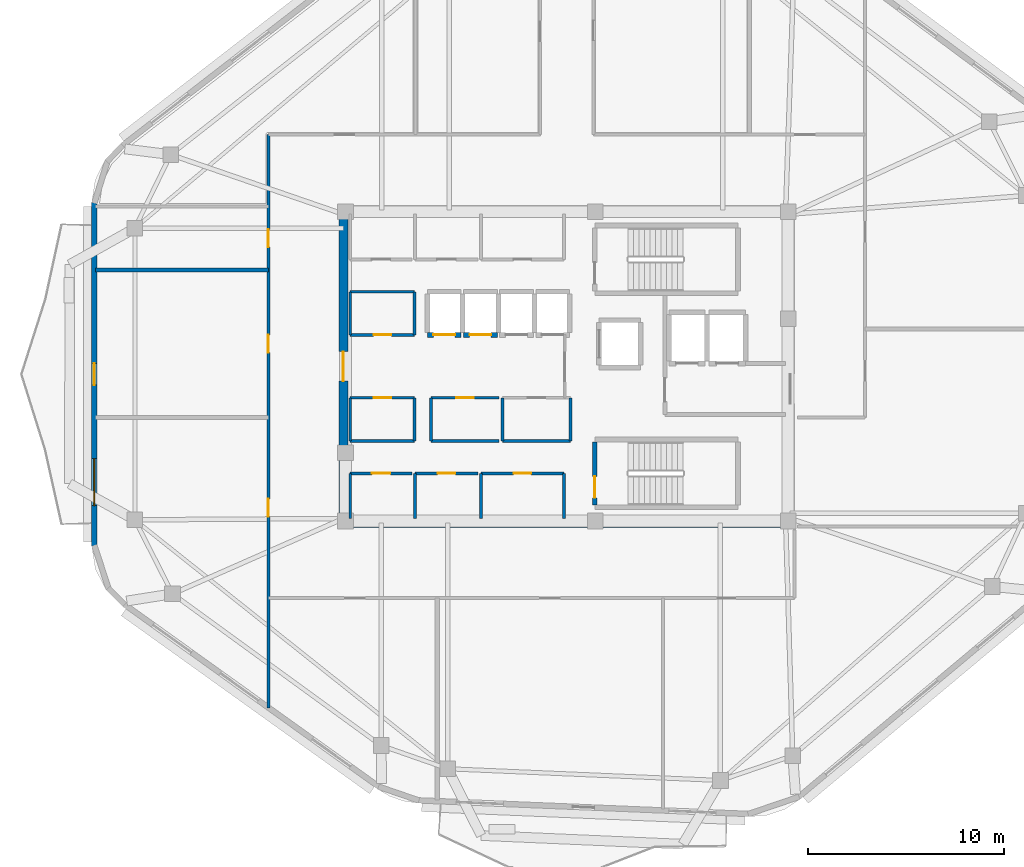
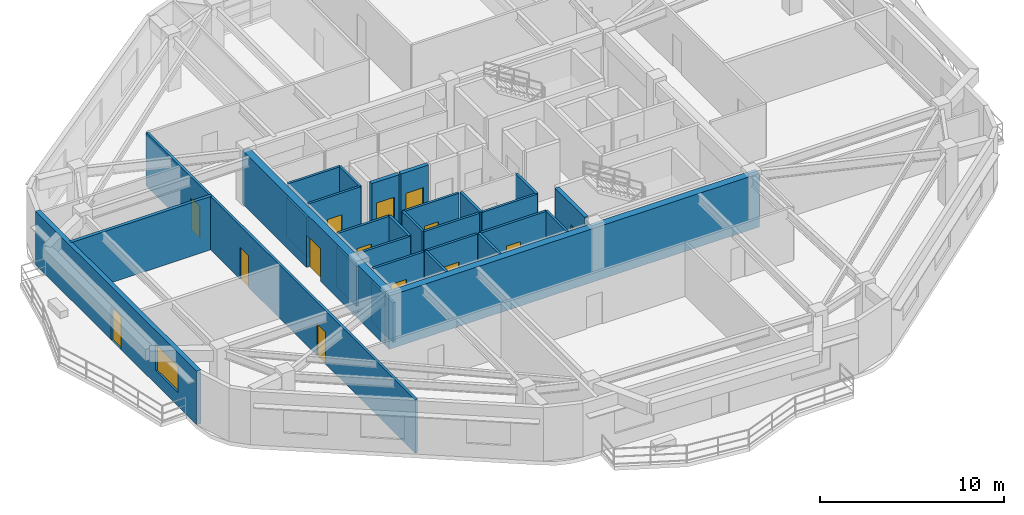
# One storey, part 6 of 12: 29 walls, 14 doors, 1 window, 15 openings.
"""IFC4 building model written with IfcOpenShell, lengths in metres."""

from ifc_helpers import new_model, si_unit, direction, frame, frame_2d, origin, place, context, subcontext, project, spatial, rectangle, extrude, material, layer, layer_set, type_object, element, fill, save


model = new_model("IFC4")

# Units and contexts
model_context = context("Model", 3, precision=1e-05, world=origin(), true_north=direction((0.0, 1.0)))
body_context = subcontext(model_context, "Body", "Model", "MODEL_VIEW")
ifc_project = project(units=[si_unit("LENGTHUNIT", "METRE"), si_unit("AREAUNIT", "SQUARE_METRE"), si_unit("VOLUMEUNIT", "CUBIC_METRE"), si_unit("PLANEANGLEUNIT", "RADIAN"), si_unit("MASSUNIT", "GRAM", prefix="KILO")], contexts=[model_context])

# Site, building, storey
site_placement = place(None, origin())
site = spatial("IfcSite", under=ifc_project, at=site_placement, CompositionType="ELEMENT")
building_placement = place(site_placement, origin())
building = spatial("IfcBuilding", under=site, at=building_placement, Name="Zulverin Broadcast Headquarters", CompositionType="ELEMENT")
storey_placement = place(building_placement, frame((0.0, 0.0, 285.800048828125)))
storey = spatial("IfcBuildingStorey", under=building, at=storey_placement, Name="L73", CompositionType="ELEMENT", Elevation=285.800048828125)

# Walls
ifc_material_1 = material(Name="Acoustic drywall steel stud", Category="steel")
ifc_layer_1 = layer(ifc_material_1, 0.199951171875, Name="Acoustic drywall steel stud", Category="steel")
ifc_layer_set_1 = layer_set([ifc_layer_1], Name="Acoustic drywall steel stud")
wall_type_1 = type_object("IfcWallType", Name="WL-ACOU-200", PredefinedType="PARTITIONING", material=ifc_layer_set_1)
wall_1_placement = place(storey_placement, frame((13.0048828125, 30.10009765625, 0.0), z_axis=(0.0, 0.0, 1.0), x_axis=(1.0, 0.0, 0.0)))
element("IfcWall", 1, at=wall_1_placement, inside=storey, type_object=wall_type_1, Name="L73 Room Partition Wall RP-15", PredefinedType="PARTITIONING", context=body_context, shape_type="SweptSolid", body=[
    extrude(rectangle(XDim=8.795166015625, YDim=0.199951171875, at=frame_2d((4.3974609375, 0.0))), origin(), (0.0, 0.0, 1.0), 3.5400390625),
])
ifc_material_2 = material(Name="Concrete C50/60", Category="concrete")
ifc_layer_2 = layer(ifc_material_2, 0.449951171875, Name="Concrete C50/60", Category="concrete")
ifc_layer_set_2 = layer_set([ifc_layer_2], Name="Concrete C50/60")
wall_type_2 = type_object("IfcWallType", Name="WL-CORE-450", PredefinedType="SHEAR", material=ifc_layer_set_2)
wall_2_placement = place(storey_placement, frame((25.39990234375, 17.22509765625, 0.0), z_axis=(0.0, 0.0, 1.0), x_axis=(1.0, 0.0, 0.0)))
element("IfcWall", 2, at=wall_2_placement, inside=storey, type_object=wall_type_2, Name="L73 Core South Shear Wall", PredefinedType="SHEAR", context=body_context, shape_type="SweptSolid", body=[
    extrude(rectangle(XDim=23.2001953125, YDim=0.449951171875, at=frame_2d((11.60009765625, 0.0))), origin(), (0.0, 0.0, 1.0), 3.5400390625),
])

# Wall, opening, door
wall_3_placement = place(storey_placement, frame((25.625, 17.449951171875, 0.0), z_axis=(0.0, 0.0, 1.0), x_axis=(0.0, 1.0, 0.0)))
wall_3 = element("IfcWall", 3, at=wall_3_placement, inside=storey, type_object=wall_type_2, Name="L73 Core West Shear Wall", PredefinedType="SHEAR", context=body_context, shape_type="SweptSolid", body=[
    extrude(rectangle(XDim=15.5, YDim=0.449951171875, at=frame_2d((7.75, 0.0))), origin(), (0.0, 0.0, 1.0), 3.5400390625),
])
opening_1_placement = place(wall_3_placement, frame((7.0, 0.0, 0.0)))
opening_1 = element("IfcOpeningElement", 4, at=opening_1_placement, cuts=wall_3, Name="Opening D-L73-CW1", PredefinedType="OPENING", context=body_context, shape_type="SweptSolid", body=[
    extrude(rectangle(XDim=1.5, YDim=2.14990234375, at=frame_2d((0.75, 1.074951171875))), frame((0.0, 0.23486328125, 0.0), z_axis=(0.0, -1.0, 0.0), x_axis=(1.0, 0.0, 0.0)), (0.0, 0.0, 1.0), 0.469970703125),
])
ifc_material_3 = material(Name="Fire-rated glazed steel frame", Category="steel")
door_type_1 = type_object("IfcDoorType", Name="DR-COR-1500", OperationType="DOUBLE_DOOR_SINGLE_SWING", PredefinedType="DOOR", material=ifc_material_3)
door_1_placement = place(opening_1_placement, origin())
door_1 = element("IfcDoor", 5, at=door_1_placement, inside=storey, type_object=door_type_1, Name="L73 Central Lift Lobby West Portal Door", OperationType="DOUBLE_DOOR_SINGLE_SWING", OverallHeight=2.14990234375, OverallWidth=1.5, PredefinedType="DOOR", context=body_context, shape_type="SweptSolid", body=[
    extrude(rectangle(XDim=1.5, YDim=2.14990234375, at=frame_2d((0.75, 1.074951171875))), frame((0.0, 0.02490234375, 0.0), z_axis=(0.0, -1.0, 0.0), x_axis=(1.0, 0.0, 0.0)), (0.0, 0.0, 1.0), 0.050048828125),
])
fill(opening_1, door_1)

# Wall, openings, door, window
ifc_material_4 = material(Name="Insulated pale-metal clad concrete spandrel C40/50", Category="concrete")
ifc_layer_3 = layer(ifc_material_4, 0.280029296875, Name="Insulated pale-metal clad concrete spandrel C40/50", Category="concrete")
ifc_layer_set_3 = layer_set([ifc_layer_3], Name="Insulated pale-metal clad concrete spandrel C40/50")
wall_type_3 = type_object("IfcWallType", Name="WL-EXT-280", PredefinedType="STANDARD", material=ifc_layer_set_3)
wall_4_placement = place(storey_placement, frame((12.93994140625, 33.548095703125, 0.0), z_axis=(0.0, 0.0, 1.0), x_axis=(0.0, -1.0, 0.0)))
wall_4 = element("IfcWall", 6, at=wall_4_placement, inside=storey, type_object=wall_type_3, Name="L73 Pale-Metal Clad Spandrel Wall 7", PredefinedType="STANDARD", context=body_context, shape_type="SweptSolid", body=[
    extrude(rectangle(XDim=17.496337890625, YDim=0.280029296875, at=frame_2d((8.748046875, 0.0))), origin(), (0.0, 0.0, 1.0), 3.5400390625),
])
opening_2_placement = place(wall_4_placement, frame((8.1982421875, 0.0, 0.0)))
opening_2 = element("IfcOpeningElement", 7, at=opening_2_placement, cuts=wall_4, Name="Opening D-L73-TR7", PredefinedType="OPENING", context=body_context, shape_type="SweptSolid", body=[
    extrude(rectangle(XDim=1.10009765625, YDim=2.199951171875, at=frame_2d((0.550048828125, 1.10009765625))), frame((0.0, 0.14990234375, 0.0), z_axis=(0.0, -1.0, 0.0), x_axis=(1.0, 0.0, 0.0)), (0.0, 0.0, 1.0), 0.300048828125),
])
opening_3_placement = place(wall_4_placement, frame((13.046875, 0.0, 0.89990234375)))
opening_3 = element("IfcOpeningElement", 8, at=opening_3_placement, cuts=wall_4, Name="Opening W-L73-E71", PredefinedType="OPENING", context=body_context, shape_type="SweptSolid", body=[
    extrude(rectangle(XDim=2.39990234375, YDim=1.75, at=frame_2d((1.199951171875, 0.875))), frame((0.0, 0.14990234375, 0.0), z_axis=(0.0, -1.0, 0.0), x_axis=(1.0, 0.0, 0.0)), (0.0, 0.0, 1.0), 0.300048828125),
])
ifc_material_5 = material(Name="Thermally broken aluminium glazed", Category="aluminium")
door_type_2 = type_object("IfcDoorType", Name="DR-TERR-1100", OperationType="SINGLE_SWING_RIGHT", PredefinedType="DOOR", material=ifc_material_5)
door_2_placement = place(opening_2_placement, origin())
door_2 = element("IfcDoor", 9, at=door_2_placement, inside=storey, type_object=door_type_2, Name="L73 Planted Terrace Glazed Access Door 7", OperationType="SINGLE_SWING_RIGHT", OverallHeight=2.199951171875, OverallWidth=1.10009765625, PredefinedType="DOOR", context=body_context, shape_type="SweptSolid", body=[
    extrude(rectangle(XDim=1.10009765625, YDim=2.199951171875, at=frame_2d((0.550048828125, 1.10009765625))), frame((0.0, 0.02490234375, 0.0), z_axis=(0.0, -1.0, 0.0), x_axis=(1.0, 0.0, 0.0)), (0.0, 0.0, 1.0), 0.050048828125),
])
fill(opening_2, door_2)
ifc_material_6 = material(Name="Pale anodized aluminium frame with solar-control low-E double glazing", Category="aluminium")
window_type = type_object("IfcWindowType", Name="WIN-RIB-2400", PartitioningType="SINGLE_PANEL", PredefinedType="WINDOW", material=ifc_material_6)
window_placement = place(opening_3_placement, origin())
window = element("IfcWindow", 10, at=window_placement, inside=storey, type_object=window_type, Name="L73 Ribbon Glazing Window 7 1", OverallHeight=1.75, OverallWidth=2.39990234375, PartitioningType="SINGLE_PANEL", PredefinedType="WINDOW", context=body_context, shape_type="SweptSolid", body=[
    extrude(rectangle(XDim=2.39990234375, YDim=1.75, at=frame_2d((1.199951171875, 0.875))), frame((0.0, 0.030029296875, 0.0), z_axis=(0.0, -1.0, 0.0), x_axis=(1.0, 0.0, 0.0)), (0.0, 0.0, 1.0), 0.06005859375),
])
fill(opening_3, window)

# Wall, opening, door
ifc_material_7 = material(Name="Fire-rated gypsum stud partition", Category="gypsum")
ifc_layer_4 = layer(ifc_material_7, 0.14990234375, Name="Fire-rated gypsum stud partition", Category="gypsum")
ifc_layer_set_4 = layer_set([ifc_layer_4], Name="Fire-rated gypsum stud partition")
wall_type_4 = type_object("IfcWallType", Name="WL-PART-150", PredefinedType="PARTITIONING", material=ifc_layer_set_4)
wall_5_placement = place(storey_placement, frame((25.969970703125, 19.75, 0.0), z_axis=(0.0, 0.0, 1.0), x_axis=(1.0, 0.0, 0.0)))
wall_5 = element("IfcWall", 11, at=wall_5_placement, inside=storey, type_object=wall_type_4, Name="L73 Core Female WC Front Wall", PredefinedType="PARTITIONING", context=body_context, shape_type="SweptSolid", body=[
    extrude(rectangle(XDim=3.150146484375, YDim=0.14990234375, at=frame_2d((1.5751953125, 0.0))), origin(), (0.0, 0.0, 1.0), 3.5400390625),
])
opening_4_placement = place(wall_5_placement, frame((1.10009765625, 0.0, 0.0)))
opening_4 = element("IfcOpeningElement", 12, at=opening_4_placement, cuts=wall_5, Name="Opening D-L73-SC1", PredefinedType="OPENING", context=body_context, shape_type="SweptSolid", body=[
    extrude(rectangle(XDim=0.949951171875, YDim=2.10009765625, at=frame_2d((0.47509765625, 1.050048828125))), frame((0.0, 0.0849609375, 0.0), z_axis=(0.0, -1.0, 0.0), x_axis=(1.0, 0.0, 0.0)), (0.0, 0.0, 1.0), 0.169921875),
])
ifc_material_8 = material(Name="Fire-rated moisture-resistant laminate leaf", Category="wood")
door_type_3 = type_object("IfcDoorType", Name="DR-WC-950", OperationType="SINGLE_SWING_LEFT", PredefinedType="DOOR", material=ifc_material_8)
door_3_placement = place(opening_4_placement, origin())
door_3 = element("IfcDoor", 13, at=door_3_placement, inside=storey, type_object=door_type_3, Name="L73 Female WC Door", OperationType="SINGLE_SWING_RIGHT", OverallHeight=2.10009765625, OverallWidth=0.949951171875, PredefinedType="DOOR", context=body_context, shape_type="SweptSolid", body=[
    extrude(rectangle(XDim=0.949951171875, YDim=2.10009765625, at=frame_2d((0.47509765625, 1.050048828125))), frame((0.0, 0.02490234375, 0.0), z_axis=(0.0, -1.0, 0.0), x_axis=(1.0, 0.0, 0.0)), (0.0, 0.0, 1.0), 0.050048828125),
])
fill(opening_4, door_3)

# Wall
wall_6_placement = place(storey_placement, frame((25.969970703125, 17.449951171875, 0.0), z_axis=(0.0, 0.0, 1.0), x_axis=(0.0, 1.0, 0.0)))
element("IfcWall", 14, at=wall_6_placement, inside=storey, type_object=wall_type_4, Name="L73 Core Female WC West Wall", PredefinedType="PARTITIONING", context=body_context, shape_type="SweptSolid", body=[
    extrude(rectangle(XDim=2.300048828125, YDim=0.14990234375, at=frame_2d((1.14990234375, 0.0))), origin(), (0.0, 0.0, 1.0), 2.639892578125),
])

# Wall, opening, door
wall_7_placement = place(storey_placement, frame((29.280029296875, 19.75, 0.0), z_axis=(0.0, 0.0, 1.0), x_axis=(1.0, 0.0, 0.0)))
wall_7 = element("IfcWall", 15, at=wall_7_placement, inside=storey, type_object=wall_type_4, Name="L73 Core Cleaner Store Front Wall", PredefinedType="PARTITIONING", context=body_context, shape_type="SweptSolid", body=[
    extrude(rectangle(XDim=3.18994140625, YDim=0.14990234375, at=frame_2d((1.594970703125, 0.0))), origin(), (0.0, 0.0, 1.0), 3.5400390625),
])
opening_5_placement = place(wall_7_placement, frame((1.14501953125, 0.0, 0.0)))
opening_5 = element("IfcOpeningElement", 16, at=opening_5_placement, cuts=wall_7, Name="Opening D-L73-SC2", PredefinedType="OPENING", context=body_context, shape_type="SweptSolid", body=[
    extrude(rectangle(XDim=0.89990234375, YDim=2.10009765625, at=frame_2d((0.449951171875, 1.050048828125))), frame((0.0, 0.0849609375, 0.0), z_axis=(0.0, -1.0, 0.0), x_axis=(1.0, 0.0, 0.0)), (0.0, 0.0, 1.0), 0.169921875),
])
ifc_material_9 = material(Name="Powder-coated steel access leaf", Category="steel")
door_type_4 = type_object("IfcDoorType", Name="DR-RISER-900", OperationType="SINGLE_SWING_LEFT", PredefinedType="DOOR", material=ifc_material_9)
door_4_placement = place(opening_5_placement, origin())
door_4 = element("IfcDoor", 17, at=door_4_placement, inside=storey, type_object=door_type_4, Name="L73 Cleaner Store Door", OperationType="SINGLE_SWING_LEFT", OverallHeight=2.10009765625, OverallWidth=0.89990234375, PredefinedType="DOOR", context=body_context, shape_type="SweptSolid", body=[
    extrude(rectangle(XDim=0.89990234375, YDim=2.10009765625, at=frame_2d((0.449951171875, 1.050048828125))), frame((0.0, 0.02490234375, 0.0), z_axis=(0.0, -1.0, 0.0), x_axis=(1.0, 0.0, 0.0)), (0.0, 0.0, 1.0), 0.050048828125),
])
fill(opening_5, door_4)

# Wall
wall_8_placement = place(storey_placement, frame((29.280029296875, 17.449951171875, 0.0), z_axis=(0.0, 0.0, 1.0), x_axis=(0.0, 1.0, 0.0)))
element("IfcWall", 18, at=wall_8_placement, inside=storey, type_object=wall_type_4, Name="L73 Core Cleaner Store West Wall", PredefinedType="PARTITIONING", context=body_context, shape_type="SweptSolid", body=[
    extrude(rectangle(XDim=2.300048828125, YDim=0.14990234375, at=frame_2d((1.14990234375, 0.0))), origin(), (0.0, 0.0, 1.0), 3.5400390625),
])

# Wall, opening, door
wall_9_placement = place(storey_placement, frame((32.6298828125, 19.75, 0.0), z_axis=(0.0, 0.0, 1.0), x_axis=(1.0, 0.0, 0.0)))
wall_9 = element("IfcWall", 19, at=wall_9_placement, inside=storey, type_object=wall_type_4, Name="L73 Core Broadcast Fibre Riser Front Wall", PredefinedType="PARTITIONING", context=body_context, shape_type="SweptSolid", body=[
    extrude(rectangle(XDim=4.22021484375, YDim=0.14990234375, at=frame_2d((2.110107421875, 0.0))), origin(), (0.0, 0.0, 1.0), 3.5400390625),
])
opening_6_placement = place(wall_9_placement, frame((1.659912109375, 0.0, 0.0)))
opening_6 = element("IfcOpeningElement", 20, at=opening_6_placement, cuts=wall_9, Name="Opening D-L73-SC3", PredefinedType="OPENING", context=body_context, shape_type="SweptSolid", body=[
    extrude(rectangle(XDim=0.89990234375, YDim=2.10009765625, at=frame_2d((0.449951171875, 1.050048828125))), frame((0.0, 0.0849609375, 0.0), z_axis=(0.0, -1.0, 0.0), x_axis=(1.0, 0.0, 0.0)), (0.0, 0.0, 1.0), 0.169921875),
])
door_5_placement = place(opening_6_placement, origin())
door_5 = element("IfcDoor", 21, at=door_5_placement, inside=storey, type_object=door_type_4, Name="L73 Broadcast Fibre Riser Door", OperationType="SINGLE_SWING_RIGHT", OverallHeight=2.10009765625, OverallWidth=0.89990234375, PredefinedType="DOOR", context=body_context, shape_type="SweptSolid", body=[
    extrude(rectangle(XDim=0.89990234375, YDim=2.10009765625, at=frame_2d((0.449951171875, 1.050048828125))), frame((0.0, 0.02490234375, 0.0), z_axis=(0.0, -1.0, 0.0), x_axis=(1.0, 0.0, 0.0)), (0.0, 0.0, 1.0), 0.050048828125),
])
fill(opening_6, door_5)

# Walls
for number, where, z_axis, x_axis, name in (
    (22, (32.6298828125, 17.449951171875, 0.0), (0.0, 0.0, 1.0), (0.0, 1.0, 0.0), "L73 Core Broadcast Fibre Riser West Wall"),
    (23, (36.85009765625, 17.449951171875, 0.0), (0.0, 0.0, 1.0), (0.0, 1.0, 0.0), "L73 Core Broadcast Fibre Riser East Wall"),
):
    element("IfcWall", number, at=place(storey_placement, frame(where, z_axis=z_axis, x_axis=x_axis)), inside=storey, type_object=wall_type_4, Name=name, PredefinedType="PARTITIONING", context=body_context, shape_type="SweptSolid", body=[
        extrude(rectangle(XDim=2.300048828125, YDim=0.14990234375, at=frame_2d((1.14990234375, 0.0))), origin(), (0.0, 0.0, 1.0), 3.5400390625),
    ])

# Wall, opening, door
wall_10_placement = place(storey_placement, frame((25.969970703125, 26.800048828125, 0.0), z_axis=(0.0, 0.0, 1.0), x_axis=(1.0, 0.0, 0.0)))
wall_10 = element("IfcWall", 24, at=wall_10_placement, inside=storey, type_object=wall_type_4, Name="L73 Core UPS Battery Store S Wall", PredefinedType="PARTITIONING", context=body_context, shape_type="SweptSolid", body=[
    extrude(rectangle(XDim=3.280029296875, YDim=0.14990234375, at=frame_2d((1.64013671875, 0.0))), origin(), (0.0, 0.0, 1.0), 3.5400390625),
])
opening_7_placement = place(wall_10_placement, frame((1.18994140625, 0.0, 0.0)))
opening_7 = element("IfcOpeningElement", 25, at=opening_7_placement, cuts=wall_10, Name="Opening D-L73-RCLN", PredefinedType="OPENING", context=body_context, shape_type="SweptSolid", body=[
    extrude(rectangle(XDim=0.89990234375, YDim=2.10009765625, at=frame_2d((0.449951171875, 1.050048828125))), frame((0.0, 0.0849609375, 0.0), z_axis=(0.0, -1.0, 0.0), x_axis=(1.0, 0.0, 0.0)), (0.0, 0.0, 1.0), 0.169921875),
])
door_6_placement = place(opening_7_placement, origin())
door_6 = element("IfcDoor", 26, at=door_6_placement, inside=storey, type_object=door_type_4, Name="L73 Core UPS Battery Store Door", OperationType="SINGLE_SWING_LEFT", OverallHeight=2.10009765625, OverallWidth=0.89990234375, PredefinedType="DOOR", context=body_context, shape_type="SweptSolid", body=[
    extrude(rectangle(XDim=0.89990234375, YDim=2.10009765625, at=frame_2d((0.449951171875, 1.050048828125))), frame((0.0, 0.02490234375, 0.0), z_axis=(0.0, -1.0, 0.0), x_axis=(1.0, 0.0, 0.0)), (0.0, 0.0, 1.0), 0.050048828125),
])
fill(opening_7, door_6)

# Walls
wall_11_placement = place(storey_placement, frame((25.969970703125, 29.0, 0.0), z_axis=(0.0, 0.0, 1.0), x_axis=(1.0, 0.0, 0.0)))
element("IfcWall", 27, at=wall_11_placement, inside=storey, type_object=wall_type_4, Name="L73 Core UPS Battery Store N Wall", PredefinedType="PARTITIONING", context=body_context, shape_type="SweptSolid", body=[
    extrude(rectangle(XDim=3.280029296875, YDim=0.14990234375, at=frame_2d((1.64013671875, 0.0))), origin(), (0.0, 0.0, 1.0), 3.5400390625),
])
wall_12_placement = place(storey_placement, frame((25.969970703125, 26.800048828125, 0.0), z_axis=(0.0, 0.0, 1.0), x_axis=(0.0, 1.0, 0.0)))
element("IfcWall", 28, at=wall_12_placement, inside=storey, type_object=wall_type_4, Name="L73 Core UPS Battery Store W Wall", PredefinedType="PARTITIONING", context=body_context, shape_type="SweptSolid", body=[
    extrude(rectangle(XDim=2.199951171875, YDim=0.14990234375, at=frame_2d((1.10009765625, 0.0))), origin(), (0.0, 0.0, 1.0), 2.639892578125),
])
wall_13_placement = place(storey_placement, frame((29.25, 26.800048828125, 0.0), z_axis=(0.0, 0.0, 1.0), x_axis=(0.0, 1.0, 0.0)))
element("IfcWall", 29, at=wall_13_placement, inside=storey, type_object=wall_type_4, Name="L73 Core UPS Battery Store E Wall", PredefinedType="PARTITIONING", context=body_context, shape_type="SweptSolid", body=[
    extrude(rectangle(XDim=2.199951171875, YDim=0.14990234375, at=frame_2d((1.10009765625, 0.0))), origin(), (0.0, 0.0, 1.0), 3.5400390625),
])
wall_14_placement = place(storey_placement, frame((25.969970703125, 21.39990234375, 0.0), z_axis=(0.0, 0.0, 1.0), x_axis=(1.0, 0.0, 0.0)))
element("IfcWall", 30, at=wall_14_placement, inside=storey, type_object=wall_type_4, Name="L73 Housekeeping Equipment Store S Wall", PredefinedType="PARTITIONING", context=body_context, shape_type="SweptSolid", body=[
    extrude(rectangle(XDim=3.280029296875, YDim=0.14990234375, at=frame_2d((1.64013671875, 0.0))), origin(), (0.0, 0.0, 1.0), 3.5400390625),
])

# Wall, opening, door
wall_15_placement = place(storey_placement, frame((25.969970703125, 23.60009765625, 0.0), z_axis=(0.0, 0.0, 1.0), x_axis=(1.0, 0.0, 0.0)))
wall_15 = element("IfcWall", 31, at=wall_15_placement, inside=storey, type_object=wall_type_4, Name="L73 Housekeeping Equipment Store N Wall", PredefinedType="PARTITIONING", context=body_context, shape_type="SweptSolid", body=[
    extrude(rectangle(XDim=3.280029296875, YDim=0.14990234375, at=frame_2d((1.64013671875, 0.0))), origin(), (0.0, 0.0, 1.0), 3.5400390625),
])
opening_8_placement = place(wall_15_placement, frame((1.18994140625, 0.0, 0.0)))
opening_8 = element("IfcOpeningElement", 32, at=opening_8_placement, cuts=wall_15, Name="Opening D-L73-RCLS", PredefinedType="OPENING", context=body_context, shape_type="SweptSolid", body=[
    extrude(rectangle(XDim=0.89990234375, YDim=2.10009765625, at=frame_2d((0.449951171875, 1.050048828125))), frame((0.0, 0.0849609375, 0.0), z_axis=(0.0, -1.0, 0.0), x_axis=(1.0, 0.0, 0.0)), (0.0, 0.0, 1.0), 0.169921875),
])
door_7_placement = place(opening_8_placement, origin())
door_7 = element("IfcDoor", 33, at=door_7_placement, inside=storey, type_object=door_type_4, Name="L73 Housekeeping Equipment Store Door", OperationType="SINGLE_SWING_RIGHT", OverallHeight=2.10009765625, OverallWidth=0.89990234375, PredefinedType="DOOR", context=body_context, shape_type="SweptSolid", body=[
    extrude(rectangle(XDim=0.89990234375, YDim=2.10009765625, at=frame_2d((0.449951171875, 1.050048828125))), frame((0.0, 0.02490234375, 0.0), z_axis=(0.0, -1.0, 0.0), x_axis=(1.0, 0.0, 0.0)), (0.0, 0.0, 1.0), 0.050048828125),
])
fill(opening_8, door_7)

# Walls
wall_16_placement = place(storey_placement, frame((25.969970703125, 21.39990234375, 0.0), z_axis=(0.0, 0.0, 1.0), x_axis=(0.0, 1.0, 0.0)))
element("IfcWall", 34, at=wall_16_placement, inside=storey, type_object=wall_type_4, Name="L73 Housekeeping Equipment Store W Wall", PredefinedType="PARTITIONING", context=body_context, shape_type="SweptSolid", body=[
    extrude(rectangle(XDim=2.2001953125, YDim=0.14990234375, at=frame_2d((1.10009765625, 0.0))), origin(), (0.0, 0.0, 1.0), 2.639892578125),
])
wall_17_placement = place(storey_placement, frame((29.25, 21.39990234375, 0.0), z_axis=(0.0, 0.0, 1.0), x_axis=(0.0, 1.0, 0.0)))
element("IfcWall", 35, at=wall_17_placement, inside=storey, type_object=wall_type_4, Name="L73 Housekeeping Equipment Store E Wall", PredefinedType="PARTITIONING", context=body_context, shape_type="SweptSolid", body=[
    extrude(rectangle(XDim=2.2001953125, YDim=0.14990234375, at=frame_2d((1.10009765625, 0.0))), origin(), (0.0, 0.0, 1.0), 3.5400390625),
])
wall_18_placement = place(storey_placement, frame((30.080078125, 21.39990234375, 0.0), z_axis=(0.0, 0.0, 1.0), x_axis=(1.0, 0.0, 0.0)))
element("IfcWall", 36, at=wall_18_placement, inside=storey, type_object=wall_type_4, Name="L73 High-Zone Archive Vault Store S Wall", PredefinedType="PARTITIONING", context=body_context, shape_type="SweptSolid", body=[
    extrude(rectangle(XDim=3.47998046875, YDim=0.14990234375, at=frame_2d((1.739990234375, 0.0))), origin(), (0.0, 0.0, 1.0), 3.5400390625),
])

# Wall, opening, door
wall_19_placement = place(storey_placement, frame((30.080078125, 23.60009765625, 0.0), z_axis=(0.0, 0.0, 1.0), x_axis=(1.0, 0.0, 0.0)))
wall_19 = element("IfcWall", 37, at=wall_19_placement, inside=storey, type_object=wall_type_4, Name="L73 High-Zone Archive Vault Store N Wall", PredefinedType="PARTITIONING", context=body_context, shape_type="SweptSolid", body=[
    extrude(rectangle(XDim=3.47998046875, YDim=0.14990234375, at=frame_2d((1.739990234375, 0.0))), origin(), (0.0, 0.0, 1.0), 3.5400390625),
])
opening_9_placement = place(wall_19_placement, frame((1.2900390625, 0.0, 0.0)))
opening_9 = element("IfcOpeningElement", 38, at=opening_9_placement, cuts=wall_19, Name="Opening D-L73-RM1", PredefinedType="OPENING", context=body_context, shape_type="SweptSolid", body=[
    extrude(rectangle(XDim=0.89990234375, YDim=2.10009765625, at=frame_2d((0.449951171875, 1.050048828125))), frame((0.0, 0.0849609375, 0.0), z_axis=(0.0, -1.0, 0.0), x_axis=(1.0, 0.0, 0.0)), (0.0, 0.0, 1.0), 0.169921875),
])
door_8_placement = place(opening_9_placement, origin())
door_8 = element("IfcDoor", 39, at=door_8_placement, inside=storey, type_object=door_type_4, Name="L73 High-Zone Archive Vault Store Door", OperationType="SINGLE_SWING_LEFT", OverallHeight=2.10009765625, OverallWidth=0.89990234375, PredefinedType="DOOR", context=body_context, shape_type="SweptSolid", body=[
    extrude(rectangle(XDim=0.89990234375, YDim=2.10009765625, at=frame_2d((0.449951171875, 1.050048828125))), frame((0.0, 0.02490234375, 0.0), z_axis=(0.0, -1.0, 0.0), x_axis=(1.0, 0.0, 0.0)), (0.0, 0.0, 1.0), 0.050048828125),
])
fill(opening_9, door_8)

# Walls
wall_20_placement = place(storey_placement, frame((30.080078125, 21.39990234375, 0.0), z_axis=(0.0, 0.0, 1.0), x_axis=(0.0, 1.0, 0.0)))
element("IfcWall", 40, at=wall_20_placement, inside=storey, type_object=wall_type_4, Name="L73 High-Zone Archive Vault Store W Wall", PredefinedType="PARTITIONING", context=body_context, shape_type="SweptSolid", body=[
    extrude(rectangle(XDim=2.2001953125, YDim=0.14990234375, at=frame_2d((1.10009765625, 0.0))), origin(), (0.0, 0.0, 1.0), 3.5400390625),
])
wall_21_placement = place(storey_placement, frame((33.719970703125, 21.39990234375, 0.0), z_axis=(0.0, 0.0, 1.0), x_axis=(1.0, 0.0, 0.0)))
element("IfcWall", 41, at=wall_21_placement, inside=storey, type_object=wall_type_4, Name="L73 Executive Floor Pantry Store S Wall", PredefinedType="PARTITIONING", context=body_context, shape_type="SweptSolid", body=[
    extrude(rectangle(XDim=3.47998046875, YDim=0.14990234375, at=frame_2d((1.739990234375, 0.0))), origin(), (0.0, 0.0, 1.0), 3.5400390625),
])
for number, where, z_axis, x_axis, name in (
    (42, (33.719970703125, 21.39990234375, 0.0), (0.0, 0.0, 1.0), (0.0, 1.0, 0.0), "L73 Executive Floor Pantry Store W Wall"),
    (43, (37.199951171875, 21.39990234375, 0.0), (0.0, 0.0, 1.0), (0.0, 1.0, 0.0), "L73 Executive Floor Pantry Store E Wall"),
):
    element("IfcWall", number, at=place(storey_placement, frame(where, z_axis=z_axis, x_axis=x_axis)), inside=storey, type_object=wall_type_4, Name=name, PredefinedType="PARTITIONING", context=body_context, shape_type="SweptSolid", body=[
        extrude(rectangle(XDim=2.2001953125, YDim=0.14990234375, at=frame_2d((1.10009765625, 0.0))), origin(), (0.0, 0.0, 1.0), 3.5400390625),
    ])

# Wall, openings, doors
wall_22_placement = place(storey_placement, frame((21.800048828125, 7.789794921875, 0.0), z_axis=(0.0, 0.0, 1.0), x_axis=(0.0, 1.0, 0.0)))
wall_22 = element("IfcWall", 44, at=wall_22_placement, inside=storey, type_object=wall_type_4, Name="L73 Gallery Partition Wall CG-09", PredefinedType="PARTITIONING", context=body_context, shape_type="SweptSolid", body=[
    extrude(rectangle(XDim=29.210205078125, YDim=0.14990234375, at=frame_2d((14.60498046875, 0.0))), origin(), (0.0, 0.0, 1.0), 3.5400390625),
])
opening_10_placement = place(wall_22_placement, frame((9.760009765625, 0.0, 0.0)))
opening_10 = element("IfcOpeningElement", 45, at=opening_10_placement, cuts=wall_22, Name="Opening D-L73-08", PredefinedType="OPENING", context=body_context, shape_type="SweptSolid", body=[
    extrude(rectangle(XDim=0.89990234375, YDim=2.10009765625, at=frame_2d((0.449951171875, 1.050048828125))), frame((0.0, 0.0849609375, 0.0), z_axis=(0.0, -1.0, 0.0), x_axis=(1.0, 0.0, 0.0)), (0.0, 0.0, 1.0), 0.169921875),
])
opening_11_placement = place(wall_22_placement, frame((18.110107421875, 0.0, 0.0)))
opening_11 = element("IfcOpeningElement", 46, at=opening_11_placement, cuts=wall_22, Name="Opening D-L73-09", PredefinedType="OPENING", context=body_context, shape_type="SweptSolid", body=[
    extrude(rectangle(XDim=0.89990234375, YDim=2.10009765625, at=frame_2d((0.449951171875, 1.050048828125))), frame((0.0, 0.0849609375, 0.0), z_axis=(0.0, -1.0, 0.0), x_axis=(1.0, 0.0, 0.0)), (0.0, 0.0, 1.0), 0.169921875),
])
opening_12_placement = place(wall_22_placement, frame((23.485107421875, 0.0, 0.0)))
opening_12 = element("IfcOpeningElement", 47, at=opening_12_placement, cuts=wall_22, Name="Opening D-L73-10", PredefinedType="OPENING", context=body_context, shape_type="SweptSolid", body=[
    extrude(rectangle(XDim=0.89990234375, YDim=2.10009765625, at=frame_2d((0.449951171875, 1.050048828125))), frame((0.0, 0.0849609375, 0.0), z_axis=(0.0, -1.0, 0.0), x_axis=(1.0, 0.0, 0.0)), (0.0, 0.0, 1.0), 0.169921875),
])
ifc_material_10 = material(Name="Fire-rated hardwood veneer timber leaf", Category="wood")
door_type_5 = type_object("IfcDoorType", Name="DR-ROOM-900", OperationType="SINGLE_SWING_RIGHT", PredefinedType="DOOR", material=ifc_material_10)
door_9_placement = place(opening_10_placement, origin())
door_9 = element("IfcDoor", 48, at=door_9_placement, inside=storey, type_object=door_type_5, Name="L73 Boardroom Door", OperationType="SINGLE_SWING_LEFT", OverallHeight=2.10009765625, OverallWidth=0.89990234375, PredefinedType="DOOR", context=body_context, shape_type="SweptSolid", body=[
    extrude(rectangle(XDim=0.89990234375, YDim=2.10009765625, at=frame_2d((0.449951171875, 1.050048828125))), frame((0.0, 0.02490234375, 0.0), z_axis=(0.0, -1.0, 0.0), x_axis=(1.0, 0.0, 0.0)), (0.0, 0.0, 1.0), 0.050048828125),
])
fill(opening_10, door_9)
door_10_placement = place(opening_11_placement, origin())
door_10 = element("IfcDoor", 49, at=door_10_placement, inside=storey, type_object=door_type_5, Name="L73 Executive Pantry Door", OperationType="SINGLE_SWING_RIGHT", OverallHeight=2.10009765625, OverallWidth=0.89990234375, PredefinedType="DOOR", context=body_context, shape_type="SweptSolid", body=[
    extrude(rectangle(XDim=0.89990234375, YDim=2.10009765625, at=frame_2d((0.449951171875, 1.050048828125))), frame((0.0, 0.02490234375, 0.0), z_axis=(0.0, -1.0, 0.0), x_axis=(1.0, 0.0, 0.0)), (0.0, 0.0, 1.0), 0.050048828125),
])
fill(opening_11, door_10)
door_11_placement = place(opening_12_placement, origin())
door_11 = element("IfcDoor", 50, at=door_11_placement, inside=storey, type_object=door_type_5, Name="L73 Executive Reception Door", OperationType="SINGLE_SWING_LEFT", OverallHeight=2.10009765625, OverallWidth=0.89990234375, PredefinedType="DOOR", context=body_context, shape_type="SweptSolid", body=[
    extrude(rectangle(XDim=0.89990234375, YDim=2.10009765625, at=frame_2d((0.449951171875, 1.050048828125))), frame((0.0, 0.02490234375, 0.0), z_axis=(0.0, -1.0, 0.0), x_axis=(1.0, 0.0, 0.0)), (0.0, 0.0, 1.0), 0.050048828125),
])
fill(opening_12, door_11)

# Wall, opening, door
ifc_layer_5 = layer(ifc_material_2, 0.25, Name="Concrete C50/60", Category="concrete")
ifc_layer_set_5 = layer_set([ifc_layer_5], Name="Concrete C50/60")
wall_type_5 = type_object("IfcWallType", Name="WL-SHAFT-250", PredefinedType="SHEAR", material=ifc_layer_set_5)
wall_23_placement = place(storey_placement, frame((38.425048828125, 18.14990234375, 0.0), z_axis=(0.0, 0.0, 1.0), x_axis=(0.0, 1.0, 0.0)))
wall_23 = element("IfcWall", 51, at=wall_23_placement, inside=storey, type_object=wall_type_5, Name="L73 ST-2 Enclosure Wall W", PredefinedType="SHEAR", context=body_context, shape_type="SweptSolid", body=[
    extrude(rectangle(XDim=3.2001953125, YDim=0.25, at=frame_2d((1.60009765625, 0.0))), origin(), (0.0, 0.0, 1.0), 3.5400390625),
])
opening_13_placement = place(wall_23_placement, frame((0.35009765625, 0.0, 0.0)))
opening_13 = element("IfcOpeningElement", 52, at=opening_13_placement, cuts=wall_23, Name="Opening D-L73-ST-2", PredefinedType="OPENING", context=body_context, shape_type="SweptSolid", body=[
    extrude(rectangle(XDim=1.10009765625, YDim=2.14990234375, at=frame_2d((0.550048828125, 1.074951171875))), frame((0.0, 0.135009765625, 0.0), z_axis=(0.0, -1.0, 0.0), x_axis=(1.0, 0.0, 0.0)), (0.0, 0.0, 1.0), 0.27001953125),
])
ifc_material_11 = material(Name="Fire-rated steel leaf and frame", Category="steel")
door_type_6 = type_object("IfcDoorType", Name="DR-STAIR-1100", OperationType="SINGLE_SWING_LEFT", PredefinedType="DOOR", material=ifc_material_11)
door_12_placement = place(opening_13_placement, origin())
door_12 = element("IfcDoor", 53, at=door_12_placement, inside=storey, type_object=door_type_6, Name="L73 Exit Stair ST-2 Fire Door", OperationType="SINGLE_SWING_RIGHT", OverallHeight=2.14990234375, OverallWidth=1.10009765625, PredefinedType="DOOR", context=body_context, shape_type="SweptSolid", body=[
    extrude(rectangle(XDim=1.10009765625, YDim=2.14990234375, at=frame_2d((0.550048828125, 1.074951171875))), frame((0.0, 0.02490234375, 0.0), z_axis=(0.0, -1.0, 0.0), x_axis=(1.0, 0.0, 0.0)), (0.0, 0.0, 1.0), 0.050048828125),
])
fill(opening_13, door_12)

wall_24_placement = place(storey_placement, frame((29.89990234375, 26.800048828125, 0.0), z_axis=(0.0, 0.0, 1.0), x_axis=(1.0, 0.0, 0.0)))
wall_24 = element("IfcWall", 54, at=wall_24_placement, inside=storey, type_object=wall_type_5, Name="L73 Lift PL-H1 Shaft Wall S", PredefinedType="SHEAR", context=body_context, shape_type="SweptSolid", body=[
    extrude(rectangle(XDim=1.72021484375, YDim=0.25, at=frame_2d((0.860107421875, 0.0))), origin(), (0.0, 0.0, 1.0), 3.5400390625),
])
opening_14_placement = place(wall_24_placement, frame((0.31005859375, 0.0, 0.0)))
opening_14 = element("IfcOpeningElement", 55, at=opening_14_placement, cuts=wall_24, Name="Opening LD-PL-H1-L73", PredefinedType="OPENING", context=body_context, shape_type="SweptSolid", body=[
    extrude(rectangle(XDim=1.10009765625, YDim=2.14990234375, at=frame_2d((0.550048828125, 1.074951171875))), frame((0.0, 0.135009765625, 0.0), z_axis=(0.0, -1.0, 0.0), x_axis=(1.0, 0.0, 0.0)), (0.0, 0.0, 1.0), 0.27001953125),
])
ifc_material_12 = material(Name="Brushed stainless steel landing", Category="steel")
door_type_7 = type_object("IfcDoorType", Name="LD-PASS-1100", OperationType="DOUBLE_DOOR_SLIDING", PredefinedType="DOOR", material=ifc_material_12)
door_13_placement = place(opening_14_placement, origin())
door_13 = element("IfcDoor", 56, at=door_13_placement, inside=storey, type_object=door_type_7, Name="L73 Lift PL-H1 Sliding Landing Door", OperationType="DOUBLE_DOOR_SLIDING", OverallHeight=2.14990234375, OverallWidth=1.10009765625, PredefinedType="DOOR", context=body_context, shape_type="SweptSolid", body=[
    extrude(rectangle(XDim=1.10009765625, YDim=2.14990234375, at=frame_2d((0.550048828125, 1.074951171875))), frame((0.0, 0.02490234375, 0.0), z_axis=(0.0, -1.0, 0.0), x_axis=(1.0, 0.0, 0.0)), (0.0, 0.0, 1.0), 0.050048828125),
])
fill(opening_14, door_13)

wall_25_placement = place(storey_placement, frame((31.739990234375, 26.800048828125, 0.0), z_axis=(0.0, 0.0, 1.0), x_axis=(1.0, 0.0, 0.0)))
wall_25 = element("IfcWall", 57, at=wall_25_placement, inside=storey, type_object=wall_type_5, Name="L73 Lift PL-H2 Shaft Wall S", PredefinedType="SHEAR", context=body_context, shape_type="SweptSolid", body=[
    extrude(rectangle(XDim=1.719970703125, YDim=0.25, at=frame_2d((0.85986328125, 0.0))), origin(), (0.0, 0.0, 1.0), 3.5400390625),
])
opening_15_placement = place(wall_25_placement, frame((0.31005859375, 0.0, 0.0)))
opening_15 = element("IfcOpeningElement", 58, at=opening_15_placement, cuts=wall_25, Name="Opening LD-PL-H2-L73", PredefinedType="OPENING", context=body_context, shape_type="SweptSolid", body=[
    extrude(rectangle(XDim=1.10009765625, YDim=2.14990234375, at=frame_2d((0.550048828125, 1.074951171875))), frame((0.0, 0.135009765625, 0.0), z_axis=(0.0, -1.0, 0.0), x_axis=(1.0, 0.0, 0.0)), (0.0, 0.0, 1.0), 0.27001953125),
])
door_14_placement = place(opening_15_placement, origin())
door_14 = element("IfcDoor", 59, at=door_14_placement, inside=storey, type_object=door_type_7, Name="L73 Lift PL-H2 Sliding Landing Door", OperationType="DOUBLE_DOOR_SLIDING", OverallHeight=2.14990234375, OverallWidth=1.10009765625, PredefinedType="DOOR", context=body_context, shape_type="SweptSolid", body=[
    extrude(rectangle(XDim=1.10009765625, YDim=2.14990234375, at=frame_2d((0.550048828125, 1.074951171875))), frame((0.0, 0.02490234375, 0.0), z_axis=(0.0, -1.0, 0.0), x_axis=(1.0, 0.0, 0.0)), (0.0, 0.0, 1.0), 0.050048828125),
])
fill(opening_15, door_14)

save(model, "model.ifc")
